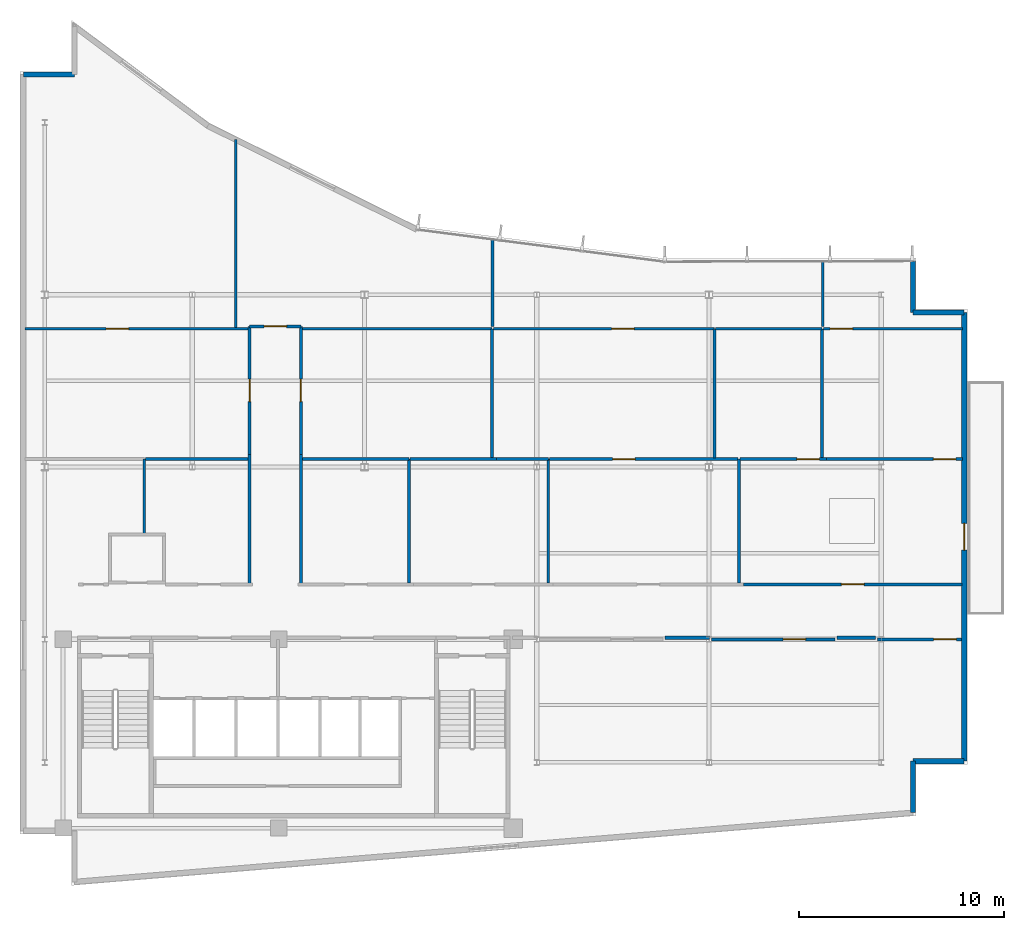
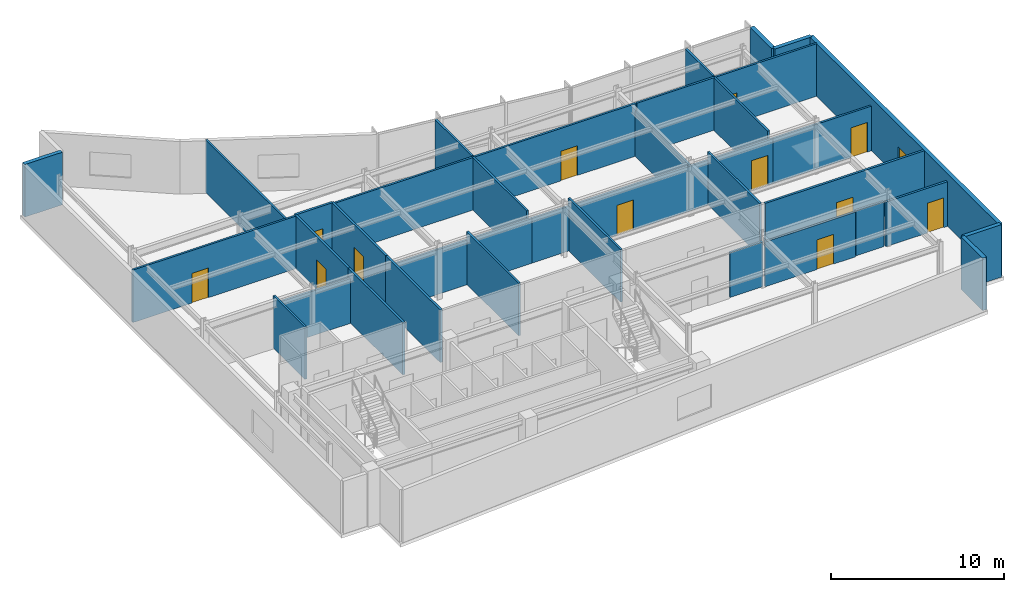
# One storey, part 11 of 15: 38 walls, 13 doors, 13 openings.
"""IFC4 building model written with IfcOpenShell, lengths in metres."""

import ifcopenshell
import ifcopenshell.guid

model = None  # the IFC model being written
_history = None  # IfcOwnerHistory: only IFC2X3 demands one
_inside = {}  # id of a spatial element -> (the spatial element, [elements in it])
_under = {}  # id of a project, library or spatial element -> (it, [spatial elements below it])
_declared = {}  # id of a project -> (the project, [libraries it declares])
_typed = {}  # id of a type object -> (the type object, [elements of that type])
_made_of = {}  # id of a material, layer set ... -> (it, [elements and type objects made of it])


def new_model(schema):
    """Start an empty IFC model of exactly this schema.

    Asked for "IFC4X3", IfcOpenShell would pick the latest addendum, in which some entities
    have other attributes; the version numbers below select the first issue.
    IFC2X3 requires an IfcOwnerHistory on every rooted entity: one is made here for all.
    """
    global model, _history
    if schema == "IFC4X3":
        model = ifcopenshell.file(schema_version=(4, 3, 0, 0))
    else:
        model = ifcopenshell.file(schema=schema)
    _inside.clear()
    _under.clear()
    _declared.clear()
    _typed.clear()
    _made_of.clear()
    _history = None
    if model.schema == "IFC2X3":
        org = make("IfcOrganization", Name="unknown")
        user = make(
            "IfcPersonAndOrganization",
            ThePerson=make("IfcPerson", FamilyName="unknown"),
            TheOrganization=org,
        )
        app = make(
            "IfcApplication",
            ApplicationDeveloper=org,
            Version="unknown",
            ApplicationFullName="unknown",
            ApplicationIdentifier="unknown",
        )
        _history = make(
            "IfcOwnerHistory",
            OwningUser=user,
            OwningApplication=app,
            ChangeAction="ADDED",
            CreationDate=0,
        )
    return model


def make(cls, **values):
    """One entity of the class cls with the attributes given. An attribute that is None is left unset."""
    return model.create_entity(
        cls, **{name: value for name, value in values.items() if value is not None}
    )


def rooted(cls, **values):
    """An entity with a GlobalId (a new one), such as an element, a storey or a relation."""
    return make(cls, GlobalId=ifcopenshell.guid.new(), OwnerHistory=_history, **values)


def si_unit(unit_type, name, prefix=None):
    """IfcSIUnit, for example si_unit("LENGTHUNIT", "METRE", prefix="MILLI")."""
    return make("IfcSIUnit", UnitType=unit_type, Prefix=prefix, Name=name)


def assignment(units):
    """IfcUnitAssignment: the units of a project."""
    return None if units is None else make("IfcUnitAssignment", Units=units)


def point(xyz):
    """IfcCartesianPoint."""
    return None if xyz is None else make("IfcCartesianPoint", Coordinates=xyz)


def direction(xyz):
    """IfcDirection."""
    return None if xyz is None else make("IfcDirection", DirectionRatios=xyz)


def frame(location, z_axis=None, x_axis=None):
    """IfcAxis2Placement3D, a coordinate frame: its origin and axes. An axis left out is left unset."""
    return make(
        "IfcAxis2Placement3D",
        Location=point(location),
        Axis=direction(z_axis),
        RefDirection=direction(x_axis),
    )


def frame_2d(location, x_axis=None):
    """IfcAxis2Placement2D, a coordinate frame in the plane: its origin and x axis."""
    return make(
        "IfcAxis2Placement2D", Location=point(location), RefDirection=direction(x_axis)
    )


def origin():
    """The frame at (0, 0, 0) with its axes left unset."""
    return frame((0.0, 0.0, 0.0))


def place(relative_to, where):
    """IfcLocalPlacement: puts the frame where relative to a parent placement (None: the world)."""
    return make(
        "IfcLocalPlacement", PlacementRelTo=relative_to, RelativePlacement=where
    )


def context(
    kind, dimensions, precision=None, world=None, true_north=None, identifier=None
):
    """IfcGeometricRepresentationContext, for example the 3D "Model" context."""
    return make(
        "IfcGeometricRepresentationContext",
        ContextIdentifier=identifier,
        ContextType=kind,
        CoordinateSpaceDimension=dimensions,
        Precision=precision,
        WorldCoordinateSystem=world,
        TrueNorth=true_north,
    )


def subcontext(parent, identifier, kind, view, scale=None):
    """IfcGeometricRepresentationSubContext, for example "Body" below "Model"."""
    return make(
        "IfcGeometricRepresentationSubContext",
        ContextIdentifier=identifier,
        ContextType=kind,
        ParentContext=parent,
        TargetScale=scale,
        TargetView=view,
    )


def project(units=None, contexts=None):
    """IfcProject with its units and contexts."""
    return rooted(
        "IfcProject",
        Name="project",
        RepresentationContexts=contexts,
        UnitsInContext=assignment(units),
    )


def spatial(cls, under=None, at=None, **own):
    """A site, building, storey or space (cls), placed at a placement, below another one or the project."""
    s = rooted(cls, ObjectPlacement=at, **own)
    if under is not None:
        _under.setdefault(under.id(), (under, []))[1].append(s)
    return s


def profile(cls, at=None, kind="AREA", **sizes):
    """A parametric profile (cls). Its sizes go by their IFC names, for example OverallWidth=200.0."""
    return make(cls, ProfileType=kind, Position=at, **sizes)


def rectangle(**sizes):
    """IfcRectangleProfileDef."""
    return profile("IfcRectangleProfileDef", **sizes)


def extrude(swept, where, along, depth):
    """IfcExtrudedAreaSolid: the profile swept, set in the frame where, extruded along a direction by depth."""
    return make(
        "IfcExtrudedAreaSolid",
        SweptArea=swept,
        Position=where,
        ExtrudedDirection=direction(along),
        Depth=depth,
    )


def shape(context_of_items, identifier, shape_type, items):
    """IfcShapeRepresentation: the items that make up one representation, for example the "Body"."""
    return make(
        "IfcShapeRepresentation",
        ContextOfItems=context_of_items,
        RepresentationIdentifier=identifier,
        RepresentationType=shape_type,
        Items=items,
    )


def material(Name=None, Category=None):
    """IfcMaterial."""
    return make("IfcMaterial", Name=Name, Category=Category)


def layer(
    of_material, thickness, ventilated=None, Name=None, Category=None, Priority=None
):
    """IfcMaterialLayer: one layer of a wall or slab, of a material (None: an air gap)."""
    return make(
        "IfcMaterialLayer",
        Material=of_material,
        LayerThickness=thickness,
        IsVentilated=ventilated,
        Name=Name,
        Category=Category,
        Priority=Priority,
    )


def layer_set(layers, Name=None):
    """IfcMaterialLayerSet."""
    return make("IfcMaterialLayerSet", MaterialLayers=layers, LayerSetName=Name)


def made_of(thing, what):
    """Note that an element or type object is made of a material, layer set ...; save() writes the relation."""
    if what is not None:
        _made_of.setdefault(what.id(), (what, []))[1].append(thing)
    return thing


def type_object(cls, material=None, **own):
    """A type object (cls), such as IfcWallType, which elements share."""
    return made_of(rooted(cls, **own), material)


def element(
    cls,
    number,
    at=None,
    inside=None,
    cuts=None,
    type_object=None,
    material=None,
    context=None,
    identifier="Body",
    shape_type=None,
    held_by="IfcProductDefinitionShape",
    body=None,
    shapes=None,
    **own,
):
    """One element of the class cls, such as IfcWall. Its Tag is "e" and its number.

    at: its placement. inside: the storey or other place that contains it. cuts: it is an
    opening in that element (IfcRelVoidsElement). A single representation is given by context,
    identifier, shape_type and body (its items); several are given by shapes. held_by: the class
    of the entity that holds the representations. save() writes the other relations.
    """
    e = rooted(cls, Tag="e%d" % number, ObjectPlacement=at, **own)
    if body is not None:
        shapes = [shape(context, identifier, shape_type, body)]
    if shapes is not None:
        e.Representation = make(held_by, Representations=shapes)
    if inside is not None:
        _inside.setdefault(inside.id(), (inside, []))[1].append(e)
    if cuts is not None:
        rooted(
            "IfcRelVoidsElement", RelatingBuildingElement=cuts, RelatedOpeningElement=e
        )
    if type_object is not None:
        _typed.setdefault(type_object.id(), (type_object, []))[1].append(e)
    return made_of(e, material)


def fill(opening, filler):
    """IfcRelFillsElement: the door or window that sits in an opening."""
    return rooted(
        "IfcRelFillsElement",
        RelatingOpeningElement=opening,
        RelatedBuildingElement=filler,
    )


def aggregate(whole, parts):
    """IfcRelAggregates: a whole, such as a stair, and the parts it consists of."""
    return rooted("IfcRelAggregates", RelatingObject=whole, RelatedObjects=parts)


def save(model, path):
    """Write the relations noted so far, then the file.

    IfcRelAggregates (storeys below a building ...), IfcRelContainedInSpatialStructure (elements
    in a storey), IfcRelDefinesByType, IfcRelAssociatesMaterial and IfcRelDeclares: one each for
    every whole, place, type object, material and project.
    """
    for whole, parts in _under.values():
        aggregate(whole, parts)
    for where, things in _inside.values():
        rooted(
            "IfcRelContainedInSpatialStructure",
            RelatedElements=things,
            RelatingStructure=where,
        )
    for kind, things in _typed.values():
        rooted("IfcRelDefinesByType", RelatedObjects=things, RelatingType=kind)
    for what, things in _made_of.values():
        rooted("IfcRelAssociatesMaterial", RelatedObjects=things, RelatingMaterial=what)
    for by, libraries in _declared.values():
        rooted("IfcRelDeclares", RelatingContext=by, RelatedDefinitions=libraries)
    model.write(path)


model = new_model("IFC4")

# Units and contexts
model_context = context("Model", 3, precision=1e-05, world=origin(), true_north=direction((0.0, 1.0)))
body_context = subcontext(model_context, "Body", "Model", "MODEL_VIEW")
ifc_project = project(units=[si_unit("LENGTHUNIT", "METRE"), si_unit("AREAUNIT", "SQUARE_METRE"), si_unit("VOLUMEUNIT", "CUBIC_METRE"), si_unit("PLANEANGLEUNIT", "RADIAN"), si_unit("MASSUNIT", "GRAM", prefix="KILO")], contexts=[model_context])

# Site, building, storey
site_placement = place(None, origin())
site = spatial("IfcSite", under=ifc_project, at=site_placement, CompositionType="ELEMENT")
building_placement = place(site_placement, origin())
building = spatial("IfcBuilding", under=site, at=building_placement, Name="Varnakote Quay Hospital", CompositionType="ELEMENT")
storey_placement = place(building_placement, frame((0.0, 0.0, 248.64990234375)))
storey = spatial("IfcBuildingStorey", under=building, at=storey_placement, Name="L61", CompositionType="ELEMENT", Elevation=248.64990234375)

# Walls
ifc_material_1 = material(Name="Fire-rated acoustic gypsum stud wall", Category="gypsum")
ifc_layer_1 = layer(ifc_material_1, 0.159912109375)
ifc_layer_set_1 = layer_set([ifc_layer_1], Name="Fire-rated acoustic gypsum stud wall")
wall_type_1 = type_object("IfcWallType", Name="WL-COMP-160", PredefinedType="PARTITIONING", material=ifc_layer_set_1)
wall_1_placement = place(storey_placement, frame((31.439208984375, 12.080078125, 0.0), z_axis=(0.0, 0.0, 1.0), x_axis=(1.0, 0.0, 0.0)))
element("IfcWall", 1, at=wall_1_placement, inside=storey, type_object=wall_type_1, Name="L61 Corridor South Gap Wall", PredefinedType="PARTITIONING", context=body_context, shape_type="SweptSolid", body=[
    extrude(rectangle(XDim=2.198486328125, YDim=0.159912109375, at=frame_2d((1.09912109375, 0.0))), origin(), (0.0, 0.0, 1.0), 3.156982421875),
])
wall_2_placement = place(storey_placement, frame((39.83935546875, 12.080078125, 0.0), z_axis=(0.0, 0.0, 1.0), x_axis=(1.0, 0.0, 0.0)))
element("IfcWall", 2, at=wall_2_placement, inside=storey, type_object=wall_type_1, Name="L61 Corridor South Gap Wall", PredefinedType="PARTITIONING", context=body_context, shape_type="SweptSolid", body=[
    extrude(rectangle(XDim=1.871337890625, YDim=0.159912109375, at=frame_2d((0.935546875, 0.0))), origin(), (0.0, 0.0, 1.0), 3.156982421875),
])
ifc_material_2 = material(Name="Precast concrete N50 (f'c 50 MPa)", Category="concrete")
ifc_layer_2 = layer(ifc_material_2, 0.260009765625)
ifc_layer_set_2 = layer_set([ifc_layer_2], Name="Precast concrete N50 (f'c 50 MPa)")
wall_type_2 = type_object("IfcWallType", Name="WL-EXT-BRICK-260", PredefinedType="STANDARD", material=ifc_layer_set_2)
wall_3_placement = place(storey_placement, frame((43.5400390625, 3.54736328125, 0.0), z_axis=(0.0, 0.0, 1.0), x_axis=(0.0, 1.0, 0.0)))
element("IfcWall", 3, at=wall_3_placement, inside=storey, type_object=wall_type_2, Name="L61 Brick-Faced Precast Exterior Wall", PredefinedType="STANDARD", context=body_context, shape_type="SweptSolid", body=[
    extrude(rectangle(XDim=2.5126953125, YDim=0.260009765625, at=frame_2d((1.25634765625, 0.0))), origin(), (0.0, 0.0, 1.0), 3.710205078125),
])
wall_4_placement = place(storey_placement, frame((43.5400390625, 6.06005859375, 0.0), z_axis=(0.0, 0.0, 1.0), x_axis=(1.0, 0.0, 0.0)))
element("IfcWall", 4, at=wall_4_placement, inside=storey, type_object=wall_type_2, Name="L61 Brick-Faced Precast Exterior Wall", PredefinedType="STANDARD", context=body_context, shape_type="SweptSolid", body=[
    extrude(rectangle(XDim=2.5, YDim=0.260009765625, at=frame_2d((1.25, 0.0))), origin(), (0.0, 0.0, 1.0), 3.710205078125),
])

# Wall, opening, door
wall_5_placement = place(storey_placement, frame((46.0400390625, 6.06005859375, 0.0), z_axis=(0.0, 0.0, 1.0), x_axis=(0.0, 1.0, 0.0)))
wall_5 = element("IfcWall", 5, at=wall_5_placement, inside=storey, type_object=wall_type_2, Name="L61 Healing Terrace Portal Brick Wall", PredefinedType="STANDARD", context=body_context, shape_type="SweptSolid", body=[
    extrude(rectangle(XDim=21.8798828125, YDim=0.260009765625, at=frame_2d((10.93994140625, 0.0))), origin(), (0.0, 0.0, 1.0), 3.710205078125),
])
opening_1_placement = place(wall_5_placement, frame((10.2900390625, 0.0, 0.0)))
opening_1 = element("IfcOpeningElement", 6, at=opening_1_placement, cuts=wall_5, Name="Opening DT-L61", PredefinedType="OPENING", context=body_context, shape_type="SweptSolid", body=[
    extrude(rectangle(XDim=1.300048828125, YDim=2.14990234375, at=frame_2d((0.64990234375, 1.074951171875))), frame((0.0, 0.139892578125, 0.0), z_axis=(0.0, -1.0, 0.0), x_axis=(1.0, 0.0, 0.0)), (0.0, 0.0, 1.0), 0.280029296875),
])
ifc_material_3 = material(Name="Anodised aluminium glazed terrace door", Category="aluminium")
door_type_1 = type_object("IfcDoorType", Name="DR-EXT-TERR-1300x2150", OperationType="NOTDEFINED", PredefinedType="DOOR", material=ifc_material_3)
door_1_placement = place(opening_1_placement, origin())
door_1 = element("IfcDoor", 7, at=door_1_placement, inside=storey, type_object=door_type_1, Name="L61 Waterfront Healing Terrace Door", OperationType="SINGLE_SWING_RIGHT", OverallHeight=2.14990234375, OverallWidth=1.300048828125, PredefinedType="DOOR", context=body_context, shape_type="SweptSolid", body=[
    extrude(rectangle(XDim=1.300048828125, YDim=2.14990234375, at=frame_2d((0.64990234375, 1.074951171875))), frame((0.0, 0.02490234375, 0.0), z_axis=(0.0, -1.0, 0.0), x_axis=(1.0, 0.0, 0.0)), (0.0, 0.0, 1.0), 0.050048828125),
])
fill(opening_1, door_1)

# Walls
wall_6_placement = place(storey_placement, frame((46.0400390625, 27.93994140625, 0.0), z_axis=(0.0, 0.0, 1.0), x_axis=(-1.0, 0.0, 0.0)))
element("IfcWall", 8, at=wall_6_placement, inside=storey, type_object=wall_type_2, Name="L61 Brick-Faced Precast Exterior Wall", PredefinedType="STANDARD", context=body_context, shape_type="SweptSolid", body=[
    extrude(rectangle(XDim=2.5, YDim=0.260009765625, at=frame_2d((1.25, 0.0))), origin(), (0.0, 0.0, 1.0), 3.710205078125),
])
wall_7_placement = place(storey_placement, frame((43.5400390625, 27.93994140625, 0.0), z_axis=(0.0, 0.0, 1.0), x_axis=(0.0, 1.0, 0.0)))
element("IfcWall", 9, at=wall_7_placement, inside=storey, type_object=wall_type_2, Name="L61 Brick-Faced Precast Exterior Wall", PredefinedType="STANDARD", context=body_context, shape_type="SweptSolid", body=[
    extrude(rectangle(XDim=2.499755859375, YDim=0.260009765625, at=frame_2d((1.25, 0.0))), origin(), (0.0, 0.0, 1.0), 3.710205078125),
])
wall_8_placement = place(storey_placement, frame((2.659912109375, 39.5400390625, 0.0), z_axis=(0.0, 0.0, 1.0), x_axis=(-1.0, 0.0, 0.0)))
element("IfcWall", 10, at=wall_8_placement, inside=storey, type_object=wall_type_2, Name="L61 Brick-Faced Precast Exterior Wall", PredefinedType="STANDARD", context=body_context, shape_type="SweptSolid", body=[
    extrude(rectangle(XDim=2.5, YDim=0.260009765625, at=frame_2d((1.25, 0.0))), origin(), (0.0, 0.0, 1.0), 3.710205078125),
])
ifc_material_4 = material(Name="Smoke-proof clinical partition", Category="gypsum")
ifc_layer_3 = layer(ifc_material_4, 0.135009765625)
ifc_layer_set_3 = layer_set([ifc_layer_3], Name="Smoke-proof clinical partition")
wall_type_3 = type_object("IfcWallType", Name="WL-SMOKE-135", PredefinedType="PARTITIONING", material=ifc_layer_set_3)
wall_9_placement = place(storey_placement, frame((6.06005859375, 17.139892578125, 0.0), z_axis=(0.0, 0.0, 1.0), x_axis=(0.0, 1.0, 0.0)))
element("IfcWall", 11, at=wall_9_placement, inside=storey, type_object=wall_type_3, Name="L61 Clinical Interior Partition", PredefinedType="PARTITIONING", context=body_context, shape_type="SweptSolid", body=[
    extrude(rectangle(XDim=3.650146484375, YDim=0.135009765625, at=frame_2d((1.8251953125, 0.0))), origin(), (0.0, 0.0, 1.0), 3.710205078125),
])
wall_10_placement = place(storey_placement, frame((11.1201171875, 20.7900390625, 0.0), z_axis=(0.0, 0.0, 1.0), x_axis=(-1.0, 0.0, 0.0)))
element("IfcWall", 12, at=wall_10_placement, inside=storey, type_object=wall_type_3, Name="L61 Clinical Interior Partition", PredefinedType="PARTITIONING", context=body_context, shape_type="SweptSolid", body=[
    extrude(rectangle(XDim=5.002685546875, YDim=0.135009765625, at=frame_2d((2.50146484375, 0.0))), origin(), (0.0, 0.0, 1.0), 3.156982421875),
])
wall_11_placement = place(storey_placement, frame((18.969970703125, 14.760009765625, 0.0), z_axis=(0.0, 0.0, 1.0), x_axis=(0.0, 1.0, 0.0)))
element("IfcWall", 13, at=wall_11_placement, inside=storey, type_object=wall_type_3, Name="L61 Clinical Interior Partition", PredefinedType="PARTITIONING", context=body_context, shape_type="SweptSolid", body=[
    extrude(rectangle(XDim=6.030029296875, YDim=0.135009765625, at=frame_2d((3.01513671875, 0.0))), origin(), (0.0, 0.0, 1.0), 3.710205078125),
])
wall_12_placement = place(storey_placement, frame((18.969970703125, 20.7900390625, 0.0), z_axis=(0.0, 0.0, 1.0), x_axis=(-1.0, 0.0, 0.0)))
element("IfcWall", 14, at=wall_12_placement, inside=storey, type_object=wall_type_3, Name="L61 Clinical Interior Partition", PredefinedType="PARTITIONING", context=body_context, shape_type="SweptSolid", body=[
    extrude(rectangle(XDim=5.18994140625, YDim=0.135009765625, at=frame_2d((2.594970703125, 0.0))), origin(), (0.0, 0.0, 1.0), 3.156982421875),
])
wall_13_placement = place(storey_placement, frame((25.760009765625, 14.760009765625, 0.0), z_axis=(0.0, 0.0, 1.0), x_axis=(0.0, 1.0, 0.0)))
element("IfcWall", 15, at=wall_13_placement, inside=storey, type_object=wall_type_3, Name="L61 Clinical Interior Partition", PredefinedType="PARTITIONING", context=body_context, shape_type="SweptSolid", body=[
    extrude(rectangle(XDim=6.030029296875, YDim=0.135009765625, at=frame_2d((3.01513671875, 0.0))), origin(), (0.0, 0.0, 1.0), 3.710205078125),
])
wall_14_placement = place(storey_placement, frame((23.2275390625, 20.7900390625, 0.0), z_axis=(0.0, 0.0, 1.0), x_axis=(-1.0, 0.0, 0.0)))
element("IfcWall", 16, at=wall_14_placement, inside=storey, type_object=wall_type_3, Name="L61 Clinical Interior Partition", PredefinedType="PARTITIONING", context=body_context, shape_type="SweptSolid", body=[
    extrude(rectangle(XDim=4.199951171875, YDim=0.135009765625, at=frame_2d((2.10009765625, 0.0))), origin(), (0.0, 0.0, 1.0), 3.156982421875),
])
wall_15_placement = place(storey_placement, frame((25.760009765625, 20.7900390625, 0.0), z_axis=(0.0, 0.0, 1.0), x_axis=(-1.0, 0.0, 0.0)))
element("IfcWall", 17, at=wall_15_placement, inside=storey, type_object=wall_type_3, Name="L61 Clinical Interior Partition", PredefinedType="PARTITIONING", context=body_context, shape_type="SweptSolid", body=[
    extrude(rectangle(XDim=2.530517578125, YDim=0.135009765625, at=frame_2d((1.26513671875, 0.0))), origin(), (0.0, 0.0, 1.0), 3.156982421875),
])
wall_16_placement = place(storey_placement, frame((35.06005859375, 14.760009765625, 0.0), z_axis=(0.0, 0.0, 1.0), x_axis=(0.0, 1.0, 0.0)))
element("IfcWall", 18, at=wall_16_placement, inside=storey, type_object=wall_type_3, Name="L61 Clinical Interior Partition", PredefinedType="PARTITIONING", context=body_context, shape_type="SweptSolid", body=[
    extrude(rectangle(XDim=6.030029296875, YDim=0.135009765625, at=frame_2d((3.01513671875, 0.0))), origin(), (0.0, 0.0, 1.0), 3.710205078125),
])

# Wall, opening, door
wall_17_placement = place(storey_placement, frame((35.00244140625, 20.7900390625, 0.0), z_axis=(0.0, 0.0, 1.0), x_axis=(-1.0, 0.0, 0.0)))
wall_17 = element("IfcWall", 19, at=wall_17_placement, inside=storey, type_object=wall_type_3, Name="L61 Clinical Interior Partition", PredefinedType="PARTITIONING", context=body_context, shape_type="SweptSolid", body=[
    extrude(rectangle(XDim=9.18505859375, YDim=0.135009765625, at=frame_2d((4.592529296875, 0.0))), origin(), (0.0, 0.0, 1.0), 3.156982421875),
])
opening_2_placement = place(wall_17_placement, frame((5.003173828125, 0.0, 0.0)))
opening_2 = element("IfcOpeningElement", 20, at=opening_2_placement, cuts=wall_17, Name="Opening D-L61-MD09", PredefinedType="OPENING", context=body_context, shape_type="SweptSolid", body=[
    extrude(rectangle(XDim=1.10009765625, YDim=2.10009765625, at=frame_2d((0.550048828125, 1.050048828125))), frame((0.0, 0.077392578125, 0.0), z_axis=(0.0, -1.0, 0.0), x_axis=(1.0, 0.0, 0.0)), (0.0, 0.0, 1.0), 0.155029296875),
])
ifc_material_5 = material(Name="Acoustic timber clinical consult door", Category="wood")
door_type_2 = type_object("IfcDoorType", Name="DR-CLIN-FD30S-1100x2100", OperationType="NOTDEFINED", PredefinedType="DOOR", material=ifc_material_5)
door_2_placement = place(opening_2_placement, origin())
door_2 = element("IfcDoor", 21, at=door_2_placement, inside=storey, type_object=door_type_2, Name="L61 Clinical Simulation Teaching Room Door", OperationType="SINGLE_SWING_LEFT", OverallHeight=2.10009765625, OverallWidth=1.10009765625, PredefinedType="DOOR", context=body_context, shape_type="SweptSolid", body=[
    extrude(rectangle(XDim=1.10009765625, YDim=2.10009765625, at=frame_2d((0.550048828125, 1.050048828125))), frame((0.0, 0.02490234375, 0.0), z_axis=(0.0, -1.0, 0.0), x_axis=(1.0, 0.0, 0.0)), (0.0, 0.0, 1.0), 0.050048828125),
])
fill(opening_2, door_2)

wall_18_placement = place(storey_placement, frame((39.3173828125, 20.7900390625, 0.0), z_axis=(0.0, 0.0, 1.0), x_axis=(-1.0, 0.0, 0.0)))
wall_18 = element("IfcWall", 22, at=wall_18_placement, inside=storey, type_object=wall_type_3, Name="L61 Clinical Interior Partition", PredefinedType="PARTITIONING", context=body_context, shape_type="SweptSolid", body=[
    extrude(rectangle(XDim=4.199951171875, YDim=0.135009765625, at=frame_2d((2.10009765625, 0.0))), origin(), (0.0, 0.0, 1.0), 3.156982421875),
])
opening_3_placement = place(wall_18_placement, frame((0.3349609375, 0.0, 0.0)))
opening_3 = element("IfcOpeningElement", 23, at=opening_3_placement, cuts=wall_18, Name="Opening D-L61-MD10", PredefinedType="OPENING", context=body_context, shape_type="SweptSolid", body=[
    extrude(rectangle(XDim=1.10009765625, YDim=2.10009765625, at=frame_2d((0.550048828125, 1.050048828125))), frame((0.0, 0.077392578125, 0.0), z_axis=(0.0, -1.0, 0.0), x_axis=(1.0, 0.0, 0.0)), (0.0, 0.0, 1.0), 0.155029296875),
])
door_3_placement = place(opening_3_placement, origin())
door_3 = element("IfcDoor", 24, at=door_3_placement, inside=storey, type_object=door_type_2, Name="L61 Rehabilitation Therapy Treatment Suite Door", OperationType="SINGLE_SWING_RIGHT", OverallHeight=2.10009765625, OverallWidth=1.10009765625, PredefinedType="DOOR", context=body_context, shape_type="SweptSolid", body=[
    extrude(rectangle(XDim=1.10009765625, YDim=2.10009765625, at=frame_2d((0.550048828125, 1.050048828125))), frame((0.0, 0.02490234375, 0.0), z_axis=(0.0, -1.0, 0.0), x_axis=(1.0, 0.0, 0.0)), (0.0, 0.0, 1.0), 0.050048828125),
])
fill(opening_3, door_3)

wall_19_placement = place(storey_placement, frame((45.9599609375, 20.7900390625, 0.0), z_axis=(0.0, 0.0, 1.0), x_axis=(-1.0, 0.0, 0.0)))
wall_19 = element("IfcWall", 25, at=wall_19_placement, inside=storey, type_object=wall_type_3, Name="L61 Clinical Interior Partition", PredefinedType="PARTITIONING", context=body_context, shape_type="SweptSolid", body=[
    extrude(rectangle(XDim=6.640380859375, YDim=0.135009765625, at=frame_2d((3.3203125, 0.0))), origin(), (0.0, 0.0, 1.0), 3.156982421875),
])
opening_4_placement = place(wall_19_placement, frame((0.32861328125, 0.0, 0.0)))
opening_4 = element("IfcOpeningElement", 26, at=opening_4_placement, cuts=wall_19, Name="Opening D-L61-DLNG", PredefinedType="OPENING", context=body_context, shape_type="SweptSolid", body=[
    extrude(rectangle(XDim=1.10009765625, YDim=2.10009765625, at=frame_2d((0.550048828125, 1.050048828125))), frame((0.0, 0.077392578125, 0.0), z_axis=(0.0, -1.0, 0.0), x_axis=(1.0, 0.0, 0.0)), (0.0, 0.0, 1.0), 0.155029296875),
])
door_4_placement = place(opening_4_placement, origin())
door_4 = element("IfcDoor", 27, at=door_4_placement, inside=storey, type_object=door_type_2, Name="L61 Waterfront Patient & Family Dayroom Door", OperationType="SINGLE_SWING_LEFT", OverallHeight=2.10009765625, OverallWidth=1.10009765625, PredefinedType="DOOR", context=body_context, shape_type="SweptSolid", body=[
    extrude(rectangle(XDim=1.10009765625, YDim=2.10009765625, at=frame_2d((0.550048828125, 1.050048828125))), frame((0.0, 0.02490234375, 0.0), z_axis=(0.0, -1.0, 0.0), x_axis=(1.0, 0.0, 0.0)), (0.0, 0.0, 1.0), 0.050048828125),
])
fill(opening_4, door_4)

wall_20_placement = place(storey_placement, frame((11.135009765625, 27.139892578125, 0.0), z_axis=(0.0, 0.0, 1.0), x_axis=(-1.0, 0.0, 0.0)))
wall_20 = element("IfcWall", 28, at=wall_20_placement, inside=storey, type_object=wall_type_3, Name="L61 Clinical Interior Partition", PredefinedType="PARTITIONING", context=body_context, shape_type="SweptSolid", body=[
    extrude(rectangle(XDim=10.89501953125, YDim=0.135009765625, at=frame_2d((5.447509765625, 0.0))), origin(), (0.0, 0.0, 1.0), 3.710205078125),
])
opening_5_placement = place(wall_20_placement, frame((5.8369140625, 0.0, 0.0)))
opening_5 = element("IfcOpeningElement", 29, at=opening_5_placement, cuts=wall_20, Name="Opening D-L61-MD11", PredefinedType="OPENING", context=body_context, shape_type="SweptSolid", body=[
    extrude(rectangle(XDim=1.10009765625, YDim=2.10009765625, at=frame_2d((0.550048828125, 1.050048828125))), frame((0.0, 0.077392578125, 0.0), z_axis=(0.0, -1.0, 0.0), x_axis=(1.0, 0.0, 0.0)), (0.0, 0.0, 1.0), 0.155029296875),
])
door_5_placement = place(opening_5_placement, origin())
door_5 = element("IfcDoor", 30, at=door_5_placement, inside=storey, type_object=door_type_2, Name="L61 Physiotherapy Consult Office Door", OperationType="SINGLE_SWING_RIGHT", OverallHeight=2.10009765625, OverallWidth=1.10009765625, PredefinedType="DOOR", context=body_context, shape_type="SweptSolid", body=[
    extrude(rectangle(XDim=1.10009765625, YDim=2.10009765625, at=frame_2d((0.550048828125, 1.050048828125))), frame((0.0, 0.02490234375, 0.0), z_axis=(0.0, -1.0, 0.0), x_axis=(1.0, 0.0, 0.0)), (0.0, 0.0, 1.0), 0.050048828125),
])
fill(opening_5, door_5)

# Walls
wall_21_placement = place(storey_placement, frame((23.02001953125, 20.847412109375, 0.0), z_axis=(0.0, 0.0, 1.0), x_axis=(0.0, 1.0, 0.0)))
element("IfcWall", 31, at=wall_21_placement, inside=storey, type_object=wall_type_3, Name="L61 Clinical Interior Partition", PredefinedType="PARTITIONING", context=body_context, shape_type="SweptSolid", body=[
    extrude(rectangle(XDim=6.29248046875, YDim=0.135009765625, at=frame_2d((3.146240234375, 0.0))), origin(), (0.0, 0.0, 1.0), 3.710205078125),
])
wall_22_placement = place(storey_placement, frame((23.02001953125, 27.139892578125, 0.0), z_axis=(0.0, 0.0, 1.0), x_axis=(-1.0, 0.0, 0.0)))
element("IfcWall", 32, at=wall_22_placement, inside=storey, type_object=wall_type_3, Name="L61 Clinical Interior Partition", PredefinedType="PARTITIONING", context=body_context, shape_type="SweptSolid", body=[
    extrude(rectangle(XDim=9.239990234375, YDim=0.135009765625, at=frame_2d((4.6201171875, 0.0))), origin(), (0.0, 0.0, 1.0), 3.710205078125),
])
wall_23_placement = place(storey_placement, frame((33.860107421875, 20.847412109375, 0.0), z_axis=(0.0, 0.0, 1.0), x_axis=(0.0, 1.0, 0.0)))
element("IfcWall", 33, at=wall_23_placement, inside=storey, type_object=wall_type_3, Name="L61 Clinical Interior Partition", PredefinedType="PARTITIONING", context=body_context, shape_type="SweptSolid", body=[
    extrude(rectangle(XDim=6.29248046875, YDim=0.135009765625, at=frame_2d((3.146240234375, 0.0))), origin(), (0.0, 0.0, 1.0), 3.156982421875),
])

# Wall, opening, door
wall_24_placement = place(storey_placement, frame((33.860107421875, 27.139892578125, 0.0), z_axis=(0.0, 0.0, 1.0), x_axis=(-1.0, 0.0, 0.0)))
wall_24 = element("IfcWall", 34, at=wall_24_placement, inside=storey, type_object=wall_type_3, Name="L61 Clinical Interior Partition", PredefinedType="PARTITIONING", context=body_context, shape_type="SweptSolid", body=[
    extrude(rectangle(XDim=10.78271484375, YDim=0.135009765625, at=frame_2d((5.391357421875, 0.0))), origin(), (0.0, 0.0, 1.0), 3.710205078125),
])
opening_6_placement = place(wall_24_placement, frame((3.9130859375, 0.0, 0.0)))
opening_6 = element("IfcOpeningElement", 35, at=opening_6_placement, cuts=wall_24, Name="Opening D-L61-MD13", PredefinedType="OPENING", context=body_context, shape_type="SweptSolid", body=[
    extrude(rectangle(XDim=1.10009765625, YDim=2.10009765625, at=frame_2d((0.550048828125, 1.050048828125))), frame((0.0, 0.077392578125, 0.0), z_axis=(0.0, -1.0, 0.0), x_axis=(1.0, 0.0, 0.0)), (0.0, 0.0, 1.0), 0.155029296875),
])
door_6_placement = place(opening_6_placement, origin())
door_6 = element("IfcDoor", 36, at=door_6_placement, inside=storey, type_object=door_type_2, Name="L61 Clinical Simulation Teaching Room Door", OperationType="SINGLE_SWING_LEFT", OverallHeight=2.10009765625, OverallWidth=1.10009765625, PredefinedType="DOOR", context=body_context, shape_type="SweptSolid", body=[
    extrude(rectangle(XDim=1.10009765625, YDim=2.10009765625, at=frame_2d((0.550048828125, 1.050048828125))), frame((0.0, 0.02490234375, 0.0), z_axis=(0.0, -1.0, 0.0), x_axis=(1.0, 0.0, 0.0)), (0.0, 0.0, 1.0), 0.050048828125),
])
fill(opening_6, door_6)

# Walls
wall_25_placement = place(storey_placement, frame((39.110107421875, 20.847412109375, 0.0), z_axis=(0.0, 0.0, 1.0), x_axis=(0.0, 1.0, 0.0)))
element("IfcWall", 37, at=wall_25_placement, inside=storey, type_object=wall_type_3, Name="L61 Clinical Interior Partition", PredefinedType="PARTITIONING", context=body_context, shape_type="SweptSolid", body=[
    extrude(rectangle(XDim=6.29248046875, YDim=0.135009765625, at=frame_2d((3.146240234375, 0.0))), origin(), (0.0, 0.0, 1.0), 3.710205078125),
])
wall_26_placement = place(storey_placement, frame((39.110107421875, 27.139892578125, 0.0), z_axis=(0.0, 0.0, 1.0), x_axis=(-1.0, 0.0, 0.0)))
element("IfcWall", 38, at=wall_26_placement, inside=storey, type_object=wall_type_3, Name="L61 Clinical Interior Partition", PredefinedType="PARTITIONING", context=body_context, shape_type="SweptSolid", body=[
    extrude(rectangle(XDim=5.192626953125, YDim=0.135009765625, at=frame_2d((2.59619140625, 0.0))), origin(), (0.0, 0.0, 1.0), 3.710205078125),
])

# Wall, opening, door
wall_27_placement = place(storey_placement, frame((45.9599609375, 27.139892578125, 0.0), z_axis=(0.0, 0.0, 1.0), x_axis=(-1.0, 0.0, 0.0)))
wall_27 = element("IfcWall", 39, at=wall_27_placement, inside=storey, type_object=wall_type_3, Name="L61 Clinical Interior Partition", PredefinedType="PARTITIONING", context=body_context, shape_type="SweptSolid", body=[
    extrude(rectangle(XDim=6.79248046875, YDim=0.135009765625, at=frame_2d((3.396240234375, 0.0))), origin(), (0.0, 0.0, 1.0), 3.710205078125),
])
opening_7_placement = place(wall_27_placement, frame((5.360107421875, 0.0, 0.0)))
opening_7 = element("IfcOpeningElement", 40, at=opening_7_placement, cuts=wall_27, Name="Opening D-L61-MD14", PredefinedType="OPENING", context=body_context, shape_type="SweptSolid", body=[
    extrude(rectangle(XDim=1.10009765625, YDim=2.10009765625, at=frame_2d((0.550048828125, 1.050048828125))), frame((0.0, 0.077392578125, 0.0), z_axis=(0.0, -1.0, 0.0), x_axis=(1.0, 0.0, 0.0)), (0.0, 0.0, 1.0), 0.155029296875),
])
door_7_placement = place(opening_7_placement, origin())
door_7 = element("IfcDoor", 41, at=door_7_placement, inside=storey, type_object=door_type_2, Name="L61 Rehabilitation Therapy Treatment Suite Door", OperationType="SINGLE_SWING_RIGHT", OverallHeight=2.10009765625, OverallWidth=1.10009765625, PredefinedType="DOOR", context=body_context, shape_type="SweptSolid", body=[
    extrude(rectangle(XDim=1.10009765625, YDim=2.10009765625, at=frame_2d((0.550048828125, 1.050048828125))), frame((0.0, 0.02490234375, 0.0), z_axis=(0.0, -1.0, 0.0), x_axis=(1.0, 0.0, 0.0)), (0.0, 0.0, 1.0), 0.050048828125),
])
fill(opening_7, door_7)

# Walls
wall_28_placement = place(storey_placement, frame((10.52001953125, 27.197509765625, 0.0), z_axis=(0.0, 0.0, 1.0), x_axis=(0.0, 1.0, 0.0)))
element("IfcWall", 42, at=wall_28_placement, inside=storey, type_object=wall_type_3, Name="L61 Clinical Interior Partition", PredefinedType="PARTITIONING", context=body_context, shape_type="SweptSolid", body=[
    extrude(rectangle(XDim=9.1640625, YDim=0.135009765625, at=frame_2d((4.58203125, 0.0))), origin(), (0.0, 0.0, 1.0), 3.710205078125),
])
wall_29_placement = place(storey_placement, frame((23.0400390625, 27.260009765625, 0.0), z_axis=(0.0, 0.0, 1.0), x_axis=(0.0, 1.0, 0.0)))
element("IfcWall", 43, at=wall_29_placement, inside=storey, type_object=wall_type_3, Name="L61 Clinical Interior Partition", PredefinedType="PARTITIONING", context=body_context, shape_type="SweptSolid", body=[
    extrude(rectangle(XDim=4.234375, YDim=0.135009765625, at=frame_2d((2.1171875, 0.0))), origin(), (0.0, 0.0, 1.0), 3.710205078125),
])
wall_30_placement = place(storey_placement, frame((39.139892578125, 27.260009765625, 0.0), z_axis=(0.0, 0.0, 1.0), x_axis=(0.0, 1.0, 0.0)))
element("IfcWall", 44, at=wall_30_placement, inside=storey, type_object=wall_type_3, Name="L61 Clinical Interior Partition", PredefinedType="PARTITIONING", context=body_context, shape_type="SweptSolid", body=[
    extrude(rectangle(XDim=3.16796875, YDim=0.135009765625, at=frame_2d((1.583984375, 0.0))), origin(), (0.0, 0.0, 1.0), 3.710205078125),
])

# Wall, opening, door
ifc_material_6 = material(Name="Fire-rated clinical gypsum partition", Category="gypsum")
ifc_layer_4 = layer(ifc_material_6, 0.14990234375)
ifc_layer_set_4 = layer_set([ifc_layer_4], Name="Fire-rated clinical gypsum partition")
wall_type_4 = type_object("IfcWallType", Name="WL-WARD-150", PredefinedType="PARTITIONING", material=ifc_layer_set_4)
wall_31_placement = place(storey_placement, frame((39.75, 12.0, 0.0), z_axis=(0.0, 0.0, 1.0), x_axis=(-1.0, 0.0, 0.0)))
wall_31 = element("IfcWall", 45, at=wall_31_placement, inside=storey, type_object=wall_type_4, Name="L61 Clinical Interior Partition", PredefinedType="PARTITIONING", context=body_context, shape_type="SweptSolid", body=[
    extrude(rectangle(XDim=6.02294921875, YDim=0.14990234375, at=frame_2d((3.011474609375, 0.0))), origin(), (0.0, 0.0, 1.0), 3.156982421875),
])
opening_8_placement = place(wall_31_placement, frame((1.44384765625, 0.0, 0.0)))
opening_8 = element("IfcOpeningElement", 46, at=opening_8_placement, cuts=wall_31, Name="Opening D-L61-RM1", PredefinedType="OPENING", context=body_context, shape_type="SweptSolid", body=[
    extrude(rectangle(XDim=1.10009765625, YDim=2.10009765625, at=frame_2d((0.550048828125, 1.050048828125))), frame((0.0, 0.0849609375, 0.0), z_axis=(0.0, -1.0, 0.0), x_axis=(1.0, 0.0, 0.0)), (0.0, 0.0, 1.0), 0.169921875),
])
door_8_placement = place(opening_8_placement, origin())
door_8 = element("IfcDoor", 47, at=door_8_placement, inside=storey, type_object=door_type_2, Name="L61 Cardiac Telemetry Treatment Suite Door", OperationType="SINGLE_SWING_RIGHT", OverallHeight=2.10009765625, OverallWidth=1.10009765625, PredefinedType="DOOR", context=body_context, shape_type="SweptSolid", body=[
    extrude(rectangle(XDim=1.10009765625, YDim=2.10009765625, at=frame_2d((0.550048828125, 1.050048828125))), frame((0.0, 0.02490234375, 0.0), z_axis=(0.0, -1.0, 0.0), x_axis=(1.0, 0.0, 0.0)), (0.0, 0.0, 1.0), 0.050048828125),
])
fill(opening_8, door_8)

wall_32_placement = place(storey_placement, frame((45.919921875, 12.0, 0.0), z_axis=(0.0, 0.0, 1.0), x_axis=(-1.0, 0.0, 0.0)))
wall_32 = element("IfcWall", 48, at=wall_32_placement, inside=storey, type_object=wall_type_4, Name="L61 Clinical Interior Partition", PredefinedType="PARTITIONING", context=body_context, shape_type="SweptSolid", body=[
    extrude(rectangle(XDim=4.119873046875, YDim=0.14990234375, at=frame_2d((2.06005859375, 0.0))), origin(), (0.0, 0.0, 1.0), 3.156982421875),
])
opening_9_placement = place(wall_32_placement, frame((0.265380859375, 0.0, 0.0)))
opening_9 = element("IfcOpeningElement", 49, at=opening_9_placement, cuts=wall_32, Name="Opening D-L61-SE1", PredefinedType="OPENING", context=body_context, shape_type="SweptSolid", body=[
    extrude(rectangle(XDim=1.10009765625, YDim=2.10009765625, at=frame_2d((0.550048828125, 1.050048828125))), frame((0.0, 0.0849609375, 0.0), z_axis=(0.0, -1.0, 0.0), x_axis=(1.0, 0.0, 0.0)), (0.0, 0.0, 1.0), 0.169921875),
])
door_9_placement = place(opening_9_placement, origin())
door_9 = element("IfcDoor", 50, at=door_9_placement, inside=storey, type_object=door_type_2, Name="L61 Clinical Biomedical Engineering Office Door", OperationType="SINGLE_SWING_LEFT", OverallHeight=2.10009765625, OverallWidth=1.10009765625, PredefinedType="DOOR", context=body_context, shape_type="SweptSolid", body=[
    extrude(rectangle(XDim=1.10009765625, YDim=2.10009765625, at=frame_2d((0.550048828125, 1.050048828125))), frame((0.0, 0.02490234375, 0.0), z_axis=(0.0, -1.0, 0.0), x_axis=(1.0, 0.0, 0.0)), (0.0, 0.0, 1.0), 0.050048828125),
])
fill(opening_9, door_9)

wall_33_placement = place(storey_placement, frame((45.919921875, 14.679931640625, 0.0), z_axis=(0.0, 0.0, 1.0), x_axis=(-1.0, 0.0, 0.0)))
wall_33 = element("IfcWall", 51, at=wall_33_placement, inside=storey, type_object=wall_type_4, Name="L61 Clinical Interior Partition", PredefinedType="PARTITIONING", context=body_context, shape_type="SweptSolid", body=[
    extrude(rectangle(XDim=10.6318359375, YDim=0.14990234375, at=frame_2d((5.31591796875, 0.0))), origin(), (0.0, 0.0, 1.0), 3.710205078125),
])
opening_10_placement = place(wall_33_placement, frame((4.76611328125, 0.0, 0.0)))
opening_10 = element("IfcOpeningElement", 52, at=opening_10_placement, cuts=wall_33, Name="Opening D-L61-MD06", PredefinedType="OPENING", context=body_context, shape_type="SweptSolid", body=[
    extrude(rectangle(XDim=1.10009765625, YDim=2.10009765625, at=frame_2d((0.550048828125, 1.050048828125))), frame((0.0, 0.0849609375, 0.0), z_axis=(0.0, -1.0, 0.0), x_axis=(1.0, 0.0, 0.0)), (0.0, 0.0, 1.0), 0.169921875),
])
door_10_placement = place(opening_10_placement, origin())
door_10 = element("IfcDoor", 53, at=door_10_placement, inside=storey, type_object=door_type_2, Name="L61 Rehabilitation Therapy Treatment Suite Door", OperationType="SINGLE_SWING_LEFT", OverallHeight=2.10009765625, OverallWidth=1.10009765625, PredefinedType="DOOR", context=body_context, shape_type="SweptSolid", body=[
    extrude(rectangle(XDim=1.10009765625, YDim=2.10009765625, at=frame_2d((0.550048828125, 1.050048828125))), frame((0.0, 0.02490234375, 0.0), z_axis=(0.0, -1.0, 0.0), x_axis=(1.0, 0.0, 0.0)), (0.0, 0.0, 1.0), 0.050048828125),
])
fill(opening_10, door_10)

# Walls
for number, where, z_axis, x_axis, name in (
    (54, (11.199951171875, 21.01611328125, 0.0), (0.0, 0.0, 1.0), (0.0, -1.0, 0.0), "L61 Clinical Interior Partition"),
    (55, (13.699951171875, 14.699951171875, 0.0), (0.0, 0.0, 1.0), (0.0, 1.0, 0.0), "L61 Clinical Interior Partition"),
):
    element("IfcWall", number, at=place(storey_placement, frame(where, z_axis=z_axis, x_axis=x_axis)), inside=storey, type_object=wall_type_4, Name=name, PredefinedType="PARTITIONING", context=body_context, shape_type="SweptSolid", body=[
        extrude(rectangle(XDim=6.316162109375, YDim=0.14990234375, at=frame_2d((3.158203125, 0.0))), origin(), (0.0, 0.0, 1.0), 3.710205078125),
    ])

# Wall, opening, door
wall_34_placement = place(storey_placement, frame((11.199951171875, 27.260009765625, 0.0), z_axis=(0.0, 0.0, 1.0), x_axis=(0.0, -1.0, 0.0)))
wall_34 = element("IfcWall", 56, at=wall_34_placement, inside=storey, type_object=wall_type_4, Name="L61 Clinical Interior Partition", PredefinedType="PARTITIONING", context=body_context, shape_type="SweptSolid", body=[
    extrude(rectangle(XDim=6.241943359375, YDim=0.14990234375, at=frame_2d((3.12109375, 0.0))), origin(), (0.0, 0.0, 1.0), 3.710205078125),
])
opening_11_placement = place(wall_34_placement, frame((2.571044921875, 0.0, 0.0)))
opening_11 = element("IfcOpeningElement", 57, at=opening_11_placement, cuts=wall_34, Name="Opening D-L61-MD07", PredefinedType="OPENING", context=body_context, shape_type="SweptSolid", body=[
    extrude(rectangle(XDim=1.10009765625, YDim=2.10009765625, at=frame_2d((0.550048828125, 1.050048828125))), frame((0.0, 0.0849609375, 0.0), z_axis=(0.0, -1.0, 0.0), x_axis=(1.0, 0.0, 0.0)), (0.0, 0.0, 1.0), 0.169921875),
])
door_11_placement = place(opening_11_placement, origin())
door_11 = element("IfcDoor", 58, at=door_11_placement, inside=storey, type_object=door_type_2, Name="L61 Physiotherapy Consult Office Door", OperationType="SINGLE_SWING_RIGHT", OverallHeight=2.10009765625, OverallWidth=1.10009765625, PredefinedType="DOOR", context=body_context, shape_type="SweptSolid", body=[
    extrude(rectangle(XDim=1.10009765625, YDim=2.10009765625, at=frame_2d((0.550048828125, 1.050048828125))), frame((0.0, 0.02490234375, 0.0), z_axis=(0.0, -1.0, 0.0), x_axis=(1.0, 0.0, 0.0)), (0.0, 0.0, 1.0), 0.050048828125),
])
fill(opening_11, door_11)

wall_35_placement = place(storey_placement, frame((13.699951171875, 21.01806640625, 0.0), z_axis=(0.0, 0.0, 1.0), x_axis=(0.0, 1.0, 0.0)))
wall_35 = element("IfcWall", 59, at=wall_35_placement, inside=storey, type_object=wall_type_4, Name="L61 Clinical Interior Partition", PredefinedType="PARTITIONING", context=body_context, shape_type="SweptSolid", body=[
    extrude(rectangle(XDim=6.241943359375, YDim=0.14990234375, at=frame_2d((3.12109375, 0.0))), origin(), (0.0, 0.0, 1.0), 3.710205078125),
])
opening_12_placement = place(wall_35_placement, frame((2.571044921875, 0.0, 0.0)))
opening_12 = element("IfcOpeningElement", 60, at=opening_12_placement, cuts=wall_35, Name="Opening D-L61-MD08", PredefinedType="OPENING", context=body_context, shape_type="SweptSolid", body=[
    extrude(rectangle(XDim=1.10009765625, YDim=2.10009765625, at=frame_2d((0.550048828125, 1.050048828125))), frame((0.0, 0.0849609375, 0.0), z_axis=(0.0, -1.0, 0.0), x_axis=(1.0, 0.0, 0.0)), (0.0, 0.0, 1.0), 0.169921875),
])
door_12_placement = place(opening_12_placement, origin())
door_12 = element("IfcDoor", 61, at=door_12_placement, inside=storey, type_object=door_type_2, Name="L61 Case Review Meeting Room Door", OperationType="SINGLE_SWING_LEFT", OverallHeight=2.10009765625, OverallWidth=1.10009765625, PredefinedType="DOOR", context=body_context, shape_type="SweptSolid", body=[
    extrude(rectangle(XDim=1.10009765625, YDim=2.10009765625, at=frame_2d((0.550048828125, 1.050048828125))), frame((0.0, 0.02490234375, 0.0), z_axis=(0.0, -1.0, 0.0), x_axis=(1.0, 0.0, 0.0)), (0.0, 0.0, 1.0), 0.050048828125),
])
fill(opening_12, door_12)

wall_36_placement = place(storey_placement, frame((13.699951171875, 27.260009765625, 0.0), z_axis=(0.0, 0.0, 1.0), x_axis=(-1.0, 0.0, 0.0)))
wall_36 = element("IfcWall", 62, at=wall_36_placement, inside=storey, type_object=wall_type_4, Name="L61 Clinical Interior Partition", PredefinedType="PARTITIONING", context=body_context, shape_type="SweptSolid", body=[
    extrude(rectangle(XDim=2.5, YDim=0.14990234375, at=frame_2d((1.25, 0.0))), origin(), (0.0, 0.0, 1.0), 3.710205078125),
])
opening_13_placement = place(wall_36_placement, frame((0.699951171875, 0.0, 0.0)))
opening_13 = element("IfcOpeningElement", 63, at=opening_13_placement, cuts=wall_36, Name="Opening D-L61-MD12", PredefinedType="OPENING", context=body_context, shape_type="SweptSolid", body=[
    extrude(rectangle(XDim=1.10009765625, YDim=2.10009765625, at=frame_2d((0.550048828125, 1.050048828125))), frame((0.0, 0.0849609375, 0.0), z_axis=(0.0, -1.0, 0.0), x_axis=(1.0, 0.0, 0.0)), (0.0, 0.0, 1.0), 0.169921875),
])
door_13_placement = place(opening_13_placement, origin())
door_13 = element("IfcDoor", 64, at=door_13_placement, inside=storey, type_object=door_type_2, Name="L61 Case Review Meeting Room Door", OperationType="SINGLE_SWING_RIGHT", OverallHeight=2.10009765625, OverallWidth=1.10009765625, PredefinedType="DOOR", context=body_context, shape_type="SweptSolid", body=[
    extrude(rectangle(XDim=1.10009765625, YDim=2.10009765625, at=frame_2d((0.550048828125, 1.050048828125))), frame((0.0, 0.02490234375, 0.0), z_axis=(0.0, -1.0, 0.0), x_axis=(1.0, 0.0, 0.0)), (0.0, 0.0, 1.0), 0.050048828125),
])
fill(opening_13, door_13)

save(model, "model.ifc")
